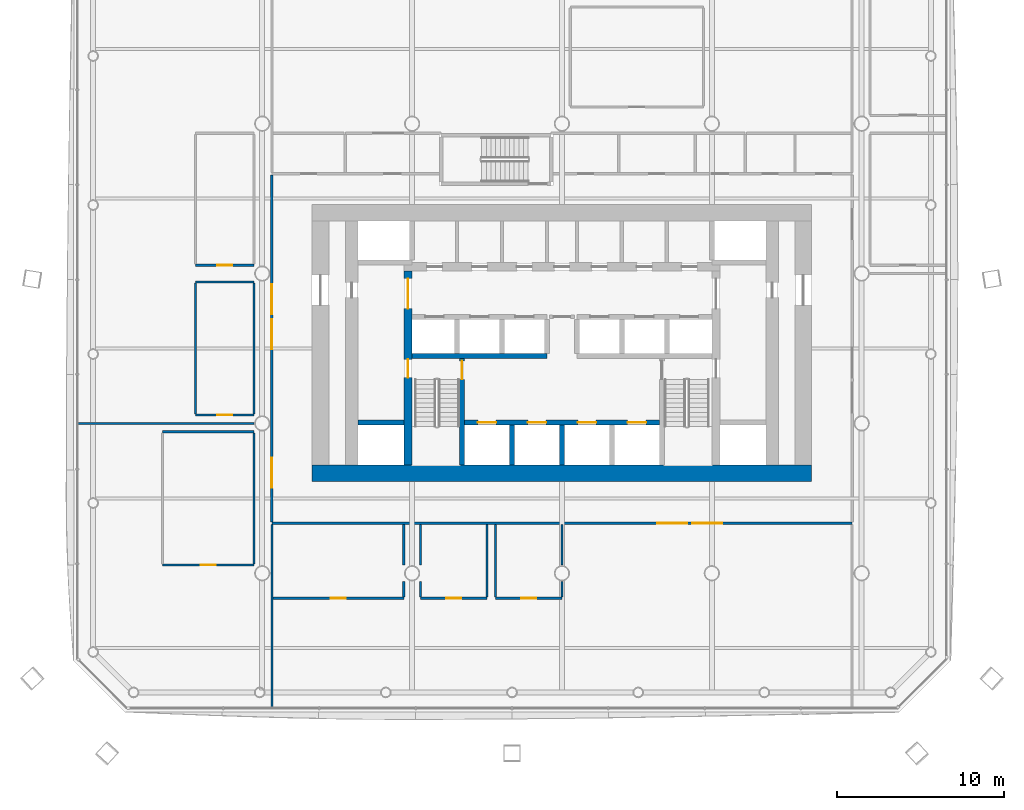
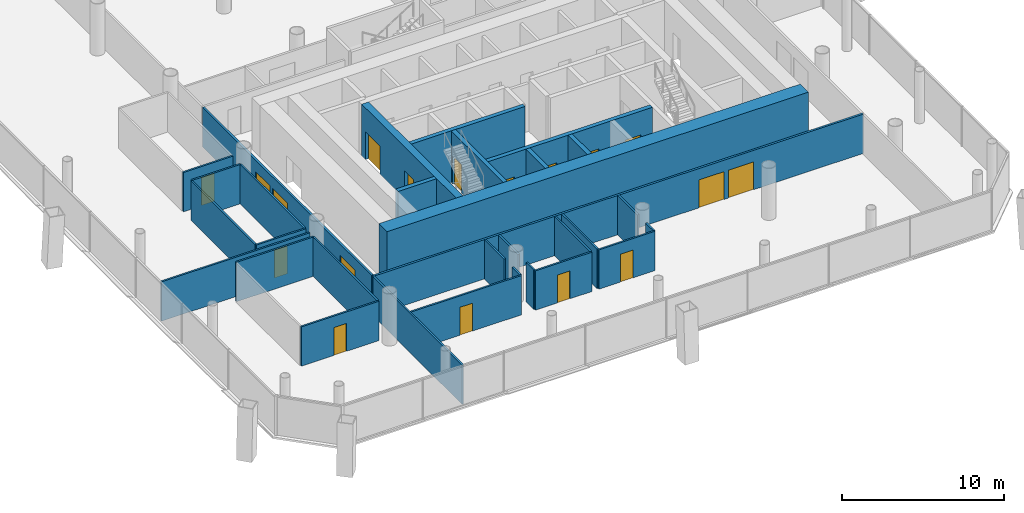
# One storey, part 12 of 20: 31 walls, 18 doors, 18 openings.
"""IFC4 building model written with IfcOpenShell, lengths in metres."""

from ifc_helpers import new_model, si_unit, direction, frame, frame_2d, origin, place, context, subcontext, project, spatial, rectangle, extrude, material, layer, layer_set, type_object, element, fill, save


model = new_model("IFC4")

# Units and contexts
model_context = context("Model", 3, precision=1e-05, world=origin(), true_north=direction((0.0, 1.0)))
body_context = subcontext(model_context, "Body", "Model", "MODEL_VIEW")
ifc_project = project(units=[si_unit("LENGTHUNIT", "METRE"), si_unit("AREAUNIT", "SQUARE_METRE"), si_unit("VOLUMEUNIT", "CUBIC_METRE"), si_unit("PLANEANGLEUNIT", "RADIAN"), si_unit("MASSUNIT", "GRAM", prefix="KILO")], contexts=[model_context])

# Site, building, storey
site_placement = place(None, origin())
site = spatial("IfcSite", under=ifc_project, at=site_placement, CompositionType="ELEMENT")
building_placement = place(site_placement, origin())
building = spatial("IfcBuilding", under=site, at=building_placement, Name="Tskaro Facet Tower", CompositionType="ELEMENT")
storey_placement = place(building_placement, frame((0.0, 0.0, 53.699951171875)))
storey = spatial("IfcBuildingStorey", under=building, at=storey_placement, Name="L12", CompositionType="ELEMENT", Elevation=53.699951171875)

# Wall
ifc_material_1 = material(Name="Concrete C60/75", Category="concrete")
ifc_layer_1 = layer(ifc_material_1, 0.300048828125, Name="Concrete C60/75")
ifc_layer_set_1 = layer_set([ifc_layer_1], Name="Concrete C60/75")
wall_type_1 = type_object("IfcWallType", Name="CORE-SHAFT", PredefinedType="SHEAR", material=ifc_layer_set_1)
wall_1_placement = place(storey_placement, frame((-12.25, -8.949951171875, 0.0), z_axis=(0.0, 0.0, 1.0), x_axis=(1.0, 0.0, 0.0)))
element("IfcWall", 1, at=wall_1_placement, inside=storey, type_object=wall_type_1, Name="Shaft wall W008", PredefinedType="SHEAR", context=body_context, shape_type="SweptSolid", body=[
    extrude(rectangle(XDim=2.75, YDim=0.300048828125, at=frame_2d((1.375, 0.0))), origin(), (0.0, 0.0, 1.0), 3.900146484375),
])

# Wall, openings, doors
wall_2_placement = place(storey_placement, frame((-5.85009765625, -8.949951171875, 0.0), z_axis=(0.0, 0.0, 1.0), x_axis=(1.0, 0.0, 0.0)))
wall_2 = element("IfcWall", 2, at=wall_2_placement, inside=storey, type_object=wall_type_1, Name="Shaft wall W009", PredefinedType="SHEAR", context=body_context, shape_type="SweptSolid", body=[
    extrude(rectangle(XDim=11.7001953125, YDim=0.300048828125, at=frame_2d((5.85009765625, 0.0))), origin(), (0.0, 0.0, 1.0), 3.900146484375),
])
opening_1_placement = place(wall_2_placement, frame((0.800048828125, 0.0, 0.0)))
opening_1 = element("IfcOpeningElement", 3, at=opening_1_placement, cuts=wall_2, Name="Opening LD-FF1", PredefinedType="OPENING", context=body_context, shape_type="SweptSolid", body=[
    extrude(rectangle(XDim=1.10009765625, YDim=2.10009765625, at=frame_2d((0.550048828125, 1.050048828125))), frame((0.0, 0.159912109375, 0.0), z_axis=(0.0, -1.0, 0.0), x_axis=(1.0, 0.0, 0.0)), (0.0, 0.0, 1.0), 0.320068359375),
])
opening_2_placement = place(wall_2_placement, frame((3.800048828125, 0.0, 0.0)))
opening_2 = element("IfcOpeningElement", 4, at=opening_2_placement, cuts=wall_2, Name="Opening LD-FF2", PredefinedType="OPENING", context=body_context, shape_type="SweptSolid", body=[
    extrude(rectangle(XDim=1.10009765625, YDim=2.10009765625, at=frame_2d((0.550048828125, 1.050048828125))), frame((0.0, 0.159912109375, 0.0), z_axis=(0.0, -1.0, 0.0), x_axis=(1.0, 0.0, 0.0)), (0.0, 0.0, 1.0), 0.320068359375),
])
opening_3_placement = place(wall_2_placement, frame((6.800048828125, 0.0, 0.0)))
opening_3 = element("IfcOpeningElement", 5, at=opening_3_placement, cuts=wall_2, Name="Opening LD-SV1", PredefinedType="OPENING", context=body_context, shape_type="SweptSolid", body=[
    extrude(rectangle(XDim=1.10009765625, YDim=2.10009765625, at=frame_2d((0.550048828125, 1.050048828125))), frame((0.0, 0.159912109375, 0.0), z_axis=(0.0, -1.0, 0.0), x_axis=(1.0, 0.0, 0.0)), (0.0, 0.0, 1.0), 0.320068359375),
])
opening_4_placement = place(wall_2_placement, frame((9.800048828125, 0.0, 0.0)))
opening_4 = element("IfcOpeningElement", 6, at=opening_4_placement, cuts=wall_2, Name="Opening LD-SV2", PredefinedType="OPENING", context=body_context, shape_type="SweptSolid", body=[
    extrude(rectangle(XDim=1.10009765625, YDim=2.10009765625, at=frame_2d((0.550048828125, 1.050048828125))), frame((0.0, 0.159912109375, 0.0), z_axis=(0.0, -1.0, 0.0), x_axis=(1.0, 0.0, 0.0)), (0.0, 0.0, 1.0), 0.320068359375),
])
ifc_material_2 = material(Name="Stainless steel", Category="steel")
door_type_1 = type_object("IfcDoorType", Name="D-LANDING", OperationType="NOTDEFINED", PredefinedType="DOOR", material=ifc_material_2)
door_1_placement = place(opening_1_placement, origin())
door_1 = element("IfcDoor", 7, at=door_1_placement, inside=storey, type_object=door_type_1, Name="Landing door FF1", OperationType="DOUBLE_DOOR_SLIDING", OverallHeight=2.10009765625, OverallWidth=1.10009765625, PredefinedType="DOOR", context=body_context, shape_type="SweptSolid", body=[
    extrude(rectangle(XDim=1.10009765625, YDim=2.10009765625, at=frame_2d((0.550048828125, 1.050048828125))), frame((0.0, 0.02490234375, 0.0), z_axis=(0.0, -1.0, 0.0), x_axis=(1.0, 0.0, 0.0)), (0.0, 0.0, 1.0), 0.050048828125),
])
fill(opening_1, door_1)
door_2_placement = place(opening_2_placement, origin())
door_2 = element("IfcDoor", 8, at=door_2_placement, inside=storey, type_object=door_type_1, Name="Landing door FF2", OperationType="DOUBLE_DOOR_SLIDING", OverallHeight=2.10009765625, OverallWidth=1.10009765625, PredefinedType="DOOR", context=body_context, shape_type="SweptSolid", body=[
    extrude(rectangle(XDim=1.10009765625, YDim=2.10009765625, at=frame_2d((0.550048828125, 1.050048828125))), frame((0.0, 0.02490234375, 0.0), z_axis=(0.0, -1.0, 0.0), x_axis=(1.0, 0.0, 0.0)), (0.0, 0.0, 1.0), 0.050048828125),
])
fill(opening_2, door_2)
door_3_placement = place(opening_3_placement, origin())
door_3 = element("IfcDoor", 9, at=door_3_placement, inside=storey, type_object=door_type_1, Name="Landing door SV1", OperationType="DOUBLE_DOOR_SLIDING", OverallHeight=2.10009765625, OverallWidth=1.10009765625, PredefinedType="DOOR", context=body_context, shape_type="SweptSolid", body=[
    extrude(rectangle(XDim=1.10009765625, YDim=2.10009765625, at=frame_2d((0.550048828125, 1.050048828125))), frame((0.0, 0.02490234375, 0.0), z_axis=(0.0, -1.0, 0.0), x_axis=(1.0, 0.0, 0.0)), (0.0, 0.0, 1.0), 0.050048828125),
])
fill(opening_3, door_3)
door_4_placement = place(opening_4_placement, origin())
door_4 = element("IfcDoor", 10, at=door_4_placement, inside=storey, type_object=door_type_1, Name="Landing door SV2", OperationType="DOUBLE_DOOR_SLIDING", OverallHeight=2.10009765625, OverallWidth=1.10009765625, PredefinedType="DOOR", context=body_context, shape_type="SweptSolid", body=[
    extrude(rectangle(XDim=1.10009765625, YDim=2.10009765625, at=frame_2d((0.550048828125, 1.050048828125))), frame((0.0, 0.02490234375, 0.0), z_axis=(0.0, -1.0, 0.0), x_axis=(1.0, 0.0, 0.0)), (0.0, 0.0, 1.0), 0.050048828125),
])
fill(opening_4, door_4)

# Wall
wall_3_placement = place(storey_placement, frame((-9.0, -4.949951171875, 0.0), z_axis=(0.0, 0.0, 1.0), x_axis=(1.0, 0.0, 0.0)))
element("IfcWall", 11, at=wall_3_placement, inside=storey, type_object=wall_type_1, Name="Shaft wall W012", PredefinedType="SHEAR", context=body_context, shape_type="SweptSolid", body=[
    extrude(rectangle(XDim=8.10009765625, YDim=0.300048828125, at=frame_2d((4.050048828125, 0.0))), origin(), (0.0, 0.0, 1.0), 3.900146484375),
])

# Wall, opening, door
wall_4_placement = place(storey_placement, frame((-6.0, -11.5, 0.0), z_axis=(0.0, 0.0, 1.0), x_axis=(0.0, 1.0, 0.0)))
wall_4 = element("IfcWall", 12, at=wall_4_placement, inside=storey, type_object=wall_type_1, Name="Shaft wall W055", PredefinedType="SHEAR", context=body_context, shape_type="SweptSolid", body=[
    extrude(rectangle(XDim=6.39990234375, YDim=0.300048828125, at=frame_2d((3.199951171875, 0.0))), origin(), (0.0, 0.0, 1.0), 3.900146484375),
])
opening_5_placement = place(wall_4_placement, frame((5.14990234375, 0.0, 0.0)))
opening_5 = element("IfcOpeningElement", 13, at=opening_5_placement, cuts=wall_4, Name="Opening ST-1-D1", PredefinedType="OPENING", context=body_context, shape_type="SweptSolid", body=[
    extrude(rectangle(XDim=1.10009765625, YDim=2.10009765625, at=frame_2d((0.550048828125, 1.050048828125))), frame((0.0, 0.159912109375, 0.0), z_axis=(0.0, -1.0, 0.0), x_axis=(1.0, 0.0, 0.0)), (0.0, 0.0, 1.0), 0.320068359375),
])
ifc_material_3 = material(Name="Steel", Category="steel")
door_type_2 = type_object("IfcDoorType", Name="D-STAIR", OperationType="NOTDEFINED", PredefinedType="DOOR", material=ifc_material_3)
door_5_placement = place(opening_5_placement, origin())
door_5 = element("IfcDoor", 14, at=door_5_placement, inside=storey, type_object=door_type_2, Name="Stair door 1", OperationType="SINGLE_SWING_LEFT", OverallHeight=2.10009765625, OverallWidth=1.10009765625, PredefinedType="DOOR", context=body_context, shape_type="SweptSolid", body=[
    extrude(rectangle(XDim=1.10009765625, YDim=2.10009765625, at=frame_2d((0.550048828125, 1.050048828125))), frame((0.0, 0.02490234375, 0.0), z_axis=(0.0, -1.0, 0.0), x_axis=(1.0, 0.0, 0.0)), (0.0, 0.0, 1.0), 0.050048828125),
])
fill(opening_5, door_5)

# Walls
for number, where, z_axis, x_axis, name in (
    (15, (-3.0, -11.5, 0.0), (0.0, 0.0, 1.0), (0.0, 1.0, 0.0), "Shaft wall W060"),
    (16, (0.0, -11.5, 0.0), (0.0, 0.0, 1.0), (0.0, 1.0, 0.0), "Shaft wall W066"),
):
    element("IfcWall", number, at=place(storey_placement, frame(where, z_axis=z_axis, x_axis=x_axis)), inside=storey, type_object=wall_type_1, Name=name, PredefinedType="SHEAR", context=body_context, shape_type="SweptSolid", body=[
        extrude(rectangle(XDim=2.39990234375, YDim=0.300048828125, at=frame_2d((1.199951171875, 0.0))), origin(), (0.0, 0.0, 1.0), 3.900146484375),
    ])
ifc_layer_2 = layer(ifc_material_1, 1.0, Name="Concrete C60/75")
ifc_layer_set_2 = layer_set([ifc_layer_2], Name="Concrete C60/75")
wall_type_2 = type_object("IfcWallType", Name="Core wall 1000", PredefinedType="SHEAR", material=ifc_layer_set_2)
wall_5_placement = place(storey_placement, frame((-15.0, -12.0, 0.0), z_axis=(0.0, 0.0, 1.0), x_axis=(1.0, 0.0, 0.0)))
element("IfcWall", 17, at=wall_5_placement, inside=storey, type_object=wall_type_2, Name="Core wall CW-Z1S", PredefinedType="SHEAR", context=body_context, shape_type="SweptSolid", body=[
    extrude(rectangle(XDim=30.0, YDim=1.0, at=frame_2d((15.0, 0.0))), origin(), (0.0, 0.0, 1.0), 3.900146484375),
])

# Wall, openings, doors
ifc_material_4 = material(Name="Concrete C40/50", Category="concrete")
ifc_layer_3 = layer(ifc_material_4, 0.5, Name="Concrete C40/50")
ifc_layer_set_3 = layer_set([ifc_layer_3], Name="Concrete C40/50")
wall_type_3 = type_object("IfcWallType", Name="Core wall 500", PredefinedType="SHEAR", material=ifc_layer_set_3)
wall_6_placement = place(storey_placement, frame((-9.25, -11.5, 0.0), z_axis=(0.0, 0.0, 1.0), x_axis=(0.0, 1.0, 0.0)))
wall_6 = element("IfcWall", 18, at=wall_6_placement, inside=storey, type_object=wall_type_3, Name="Core wall CW-Z3W", PredefinedType="SHEAR", context=body_context, shape_type="SweptSolid", body=[
    extrude(rectangle(XDim=11.64990234375, YDim=0.5, at=frame_2d((5.824951171875, 0.0))), origin(), (0.0, 0.0, 1.0), 3.900146484375),
])
opening_6_placement = place(wall_6_placement, frame((9.39990234375, 0.0, 0.0)))
opening_6 = element("IfcOpeningElement", 19, at=opening_6_placement, cuts=wall_6, Name="Opening T3-D15", PredefinedType="OPENING", context=body_context, shape_type="SweptSolid", body=[
    extrude(rectangle(XDim=1.800048828125, YDim=2.10009765625, at=frame_2d((0.89990234375, 1.050048828125))), frame((0.0, 0.260009765625, 0.0), z_axis=(0.0, -1.0, 0.0), x_axis=(1.0, 0.0, 0.0)), (0.0, 0.0, 1.0), 0.52001953125),
])
opening_7_placement = place(wall_6_placement, frame((5.25, 0.0, 0.0)))
opening_7 = element("IfcOpeningElement", 20, at=opening_7_placement, cuts=wall_6, Name="Opening ST-1-D2", PredefinedType="OPENING", context=body_context, shape_type="SweptSolid", body=[
    extrude(rectangle(XDim=1.10009765625, YDim=2.10009765625, at=frame_2d((0.550048828125, 1.050048828125))), frame((0.0, 0.260009765625, 0.0), z_axis=(0.0, -1.0, 0.0), x_axis=(1.0, 0.0, 0.0)), (0.0, 0.0, 1.0), 0.52001953125),
])
door_type_3 = type_object("IfcDoorType", Name="D-CORE-PAIR", OperationType="NOTDEFINED", PredefinedType="DOOR", material=ifc_material_3)
door_6_placement = place(opening_6_placement, origin())
door_6 = element("IfcDoor", 21, at=door_6_placement, inside=storey, type_object=door_type_3, Name="Door T3-D15", OperationType="DOUBLE_DOOR_SINGLE_SWING", OverallHeight=2.10009765625, OverallWidth=1.800048828125, PredefinedType="DOOR", context=body_context, shape_type="SweptSolid", body=[
    extrude(rectangle(XDim=1.800048828125, YDim=2.10009765625, at=frame_2d((0.89990234375, 1.050048828125))), frame((0.0, 0.02490234375, 0.0), z_axis=(0.0, -1.0, 0.0), x_axis=(1.0, 0.0, 0.0)), (0.0, 0.0, 1.0), 0.050048828125),
])
fill(opening_6, door_6)
door_7_placement = place(opening_7_placement, origin())
door_7 = element("IfcDoor", 22, at=door_7_placement, inside=storey, type_object=door_type_2, Name="Stair door 1 west", OperationType="SINGLE_SWING_LEFT", OverallHeight=2.10009765625, OverallWidth=1.10009765625, PredefinedType="DOOR", context=body_context, shape_type="SweptSolid", body=[
    extrude(rectangle(XDim=1.10009765625, YDim=2.10009765625, at=frame_2d((0.550048828125, 1.050048828125))), frame((0.0, 0.02490234375, 0.0), z_axis=(0.0, -1.0, 0.0), x_axis=(1.0, 0.0, 0.0)), (0.0, 0.0, 1.0), 0.050048828125),
])
fill(opening_7, door_7)

# Wall, opening, door
ifc_material_5 = material(Name="Gypsum board on steel studs", Category="steel")
ifc_layer_4 = layer(ifc_material_5, 0.125, Name="Gypsum board on steel studs")
ifc_layer_set_4 = layer_set([ifc_layer_4], Name="Gypsum board on steel studs")
wall_type_4 = type_object("IfcWallType", Name="PART", PredefinedType="PARTITIONING", material=ifc_layer_set_4)
wall_7_placement = place(storey_placement, frame((-17.362548828125, -19.5, 0.0), z_axis=(0.0, 0.0, 1.0), x_axis=(1.0, 0.0, 0.0)))
wall_7 = element("IfcWall", 23, at=wall_7_placement, inside=storey, type_object=wall_type_4, Name="Partition W001", PredefinedType="PARTITIONING", context=body_context, shape_type="SweptSolid", body=[
    extrude(rectangle(XDim=7.862548828125, YDim=0.125, at=frame_2d((3.93115234375, 0.0))), origin(), (0.0, 0.0, 1.0), 2.9599609375),
])
opening_8_placement = place(wall_7_placement, frame((3.481201171875, 0.0, 0.0)))
opening_8 = element("IfcOpeningElement", 24, at=opening_8_placement, cuts=wall_7, Name="Opening T3-D01", PredefinedType="OPENING", context=body_context, shape_type="SweptSolid", body=[
    extrude(rectangle(XDim=0.89990234375, YDim=2.10009765625, at=frame_2d((0.449951171875, 1.050048828125))), frame((0.0, 0.072509765625, 0.0), z_axis=(0.0, -1.0, 0.0), x_axis=(1.0, 0.0, 0.0)), (0.0, 0.0, 1.0), 0.14501953125),
])
ifc_material_6 = material(Name="Timber", Category="wood")
door_type_4 = type_object("IfcDoorType", Name="D-ROOM", OperationType="NOTDEFINED", PredefinedType="DOOR", material=ifc_material_6)
door_8_placement = place(opening_8_placement, origin())
door_8 = element("IfcDoor", 25, at=door_8_placement, inside=storey, type_object=door_type_4, Name="Door T3-D01", OperationType="SINGLE_SWING_LEFT", OverallHeight=2.10009765625, OverallWidth=0.89990234375, PredefinedType="DOOR", context=body_context, shape_type="SweptSolid", body=[
    extrude(rectangle(XDim=0.89990234375, YDim=2.10009765625, at=frame_2d((0.449951171875, 1.050048828125))), frame((0.0, 0.02490234375, 0.0), z_axis=(0.0, -1.0, 0.0), x_axis=(1.0, 0.0, 0.0)), (0.0, 0.0, 1.0), 0.050048828125),
])
fill(opening_8, door_8)

wall_8_placement = place(storey_placement, frame((-8.5, -19.5, 0.0), z_axis=(0.0, 0.0, 1.0), x_axis=(1.0, 0.0, 0.0)))
wall_8 = element("IfcWall", 26, at=wall_8_placement, inside=storey, type_object=wall_type_4, Name="Partition W002", PredefinedType="PARTITIONING", context=body_context, shape_type="SweptSolid", body=[
    extrude(rectangle(XDim=4.0, YDim=0.125, at=frame_2d((2.0, 0.0))), origin(), (0.0, 0.0, 1.0), 2.9599609375),
])
opening_9_placement = place(wall_8_placement, frame((1.550048828125, 0.0, 0.0)))
opening_9 = element("IfcOpeningElement", 27, at=opening_9_placement, cuts=wall_8, Name="Opening T3-D02", PredefinedType="OPENING", context=body_context, shape_type="SweptSolid", body=[
    extrude(rectangle(XDim=0.89990234375, YDim=2.10009765625, at=frame_2d((0.449951171875, 1.050048828125))), frame((0.0, 0.072509765625, 0.0), z_axis=(0.0, -1.0, 0.0), x_axis=(1.0, 0.0, 0.0)), (0.0, 0.0, 1.0), 0.14501953125),
])
door_9_placement = place(opening_9_placement, origin())
door_9 = element("IfcDoor", 28, at=door_9_placement, inside=storey, type_object=door_type_4, Name="Door T3-D02", OperationType="SINGLE_SWING_LEFT", OverallHeight=2.10009765625, OverallWidth=0.89990234375, PredefinedType="DOOR", context=body_context, shape_type="SweptSolid", body=[
    extrude(rectangle(XDim=0.89990234375, YDim=2.10009765625, at=frame_2d((0.449951171875, 1.050048828125))), frame((0.0, 0.02490234375, 0.0), z_axis=(0.0, -1.0, 0.0), x_axis=(1.0, 0.0, 0.0)), (0.0, 0.0, 1.0), 0.050048828125),
])
fill(opening_9, door_9)

wall_9_placement = place(storey_placement, frame((-4.0, -19.5, 0.0), z_axis=(0.0, 0.0, 1.0), x_axis=(1.0, 0.0, 0.0)))
wall_9 = element("IfcWall", 29, at=wall_9_placement, inside=storey, type_object=wall_type_4, Name="Partition W003", PredefinedType="PARTITIONING", context=body_context, shape_type="SweptSolid", body=[
    extrude(rectangle(XDim=4.0, YDim=0.125, at=frame_2d((2.0, 0.0))), origin(), (0.0, 0.0, 1.0), 2.9599609375),
])
opening_10_placement = place(wall_9_placement, frame((1.550048828125, 0.0, 0.0)))
opening_10 = element("IfcOpeningElement", 30, at=opening_10_placement, cuts=wall_9, Name="Opening T3-D03", PredefinedType="OPENING", context=body_context, shape_type="SweptSolid", body=[
    extrude(rectangle(XDim=0.89990234375, YDim=2.10009765625, at=frame_2d((0.449951171875, 1.050048828125))), frame((0.0, 0.072509765625, 0.0), z_axis=(0.0, -1.0, 0.0), x_axis=(1.0, 0.0, 0.0)), (0.0, 0.0, 1.0), 0.14501953125),
])
door_10_placement = place(opening_10_placement, origin())
door_10 = element("IfcDoor", 31, at=door_10_placement, inside=storey, type_object=door_type_4, Name="Door T3-D03", OperationType="SINGLE_SWING_LEFT", OverallHeight=2.10009765625, OverallWidth=0.89990234375, PredefinedType="DOOR", context=body_context, shape_type="SweptSolid", body=[
    extrude(rectangle(XDim=0.89990234375, YDim=2.10009765625, at=frame_2d((0.449951171875, 1.050048828125))), frame((0.0, 0.02490234375, 0.0), z_axis=(0.0, -1.0, 0.0), x_axis=(1.0, 0.0, 0.0)), (0.0, 0.0, 1.0), 0.050048828125),
])
fill(opening_10, door_10)

wall_10_placement = place(storey_placement, frame((-24.0, -17.5, 0.0), z_axis=(0.0, 0.0, 1.0), x_axis=(1.0, 0.0, 0.0)))
wall_10 = element("IfcWall", 32, at=wall_10_placement, inside=storey, type_object=wall_type_4, Name="Partition W004", PredefinedType="PARTITIONING", context=body_context, shape_type="SweptSolid", body=[
    extrude(rectangle(XDim=5.5, YDim=0.125, at=frame_2d((2.75, 0.0))), origin(), (0.0, 0.0, 1.0), 2.9599609375),
])
opening_11_placement = place(wall_10_placement, frame((2.300048828125, 0.0, 0.0)))
opening_11 = element("IfcOpeningElement", 33, at=opening_11_placement, cuts=wall_10, Name="Opening T3-D04", PredefinedType="OPENING", context=body_context, shape_type="SweptSolid", body=[
    extrude(rectangle(XDim=0.89990234375, YDim=2.10009765625, at=frame_2d((0.449951171875, 1.050048828125))), frame((0.0, 0.072509765625, 0.0), z_axis=(0.0, -1.0, 0.0), x_axis=(1.0, 0.0, 0.0)), (0.0, 0.0, 1.0), 0.14501953125),
])
door_11_placement = place(opening_11_placement, origin())
door_11 = element("IfcDoor", 34, at=door_11_placement, inside=storey, type_object=door_type_4, Name="Door T3-D04", OperationType="SINGLE_SWING_LEFT", OverallHeight=2.10009765625, OverallWidth=0.89990234375, PredefinedType="DOOR", context=body_context, shape_type="SweptSolid", body=[
    extrude(rectangle(XDim=0.89990234375, YDim=2.10009765625, at=frame_2d((0.449951171875, 1.050048828125))), frame((0.0, 0.02490234375, 0.0), z_axis=(0.0, -1.0, 0.0), x_axis=(1.0, 0.0, 0.0)), (0.0, 0.0, 1.0), 0.050048828125),
])
fill(opening_11, door_11)

# Walls
wall_11_placement = place(storey_placement, frame((-24.0, -9.5, 0.0), z_axis=(0.0, 0.0, 1.0), x_axis=(1.0, 0.0, 0.0)))
element("IfcWall", 35, at=wall_11_placement, inside=storey, type_object=wall_type_4, Name="Partition W006", PredefinedType="PARTITIONING", context=body_context, shape_type="SweptSolid", body=[
    extrude(rectangle(XDim=5.5, YDim=0.125, at=frame_2d((2.75, 0.0))), origin(), (0.0, 0.0, 1.0), 2.9599609375),
])
wall_12_placement = place(storey_placement, frame((-29.056884765625, -9.0, 0.0), z_axis=(0.0, 0.0, 1.0), x_axis=(1.0, 0.0, 0.0)))
element("IfcWall", 36, at=wall_12_placement, inside=storey, type_object=wall_type_4, Name="Partition W007", PredefinedType="PARTITIONING", context=body_context, shape_type="SweptSolid", body=[
    extrude(rectangle(XDim=10.556884765625, YDim=0.125, at=frame_2d((5.2783203125, 0.0))), origin(), (0.0, 0.0, 1.0), 2.9599609375),
])

# Wall, opening, door
wall_13_placement = place(storey_placement, frame((-22.0, -8.5, 0.0), z_axis=(0.0, 0.0, 1.0), x_axis=(1.0, 0.0, 0.0)))
wall_13 = element("IfcWall", 37, at=wall_13_placement, inside=storey, type_object=wall_type_4, Name="Partition W011", PredefinedType="PARTITIONING", context=body_context, shape_type="SweptSolid", body=[
    extrude(rectangle(XDim=3.5, YDim=0.125, at=frame_2d((1.75, 0.0))), origin(), (0.0, 0.0, 1.0), 2.9599609375),
])
opening_12_placement = place(wall_13_placement, frame((1.300048828125, 0.0, 0.0)))
opening_12 = element("IfcOpeningElement", 38, at=opening_12_placement, cuts=wall_13, Name="Opening T3-D10", PredefinedType="OPENING", context=body_context, shape_type="SweptSolid", body=[
    extrude(rectangle(XDim=0.89990234375, YDim=2.10009765625, at=frame_2d((0.449951171875, 1.050048828125))), frame((0.0, 0.072509765625, 0.0), z_axis=(0.0, -1.0, 0.0), x_axis=(1.0, 0.0, 0.0)), (0.0, 0.0, 1.0), 0.14501953125),
])
door_12_placement = place(opening_12_placement, origin())
door_12 = element("IfcDoor", 39, at=door_12_placement, inside=storey, type_object=door_type_4, Name="Door T3-D10", OperationType="SINGLE_SWING_LEFT", OverallHeight=2.10009765625, OverallWidth=0.89990234375, PredefinedType="DOOR", context=body_context, shape_type="SweptSolid", body=[
    extrude(rectangle(XDim=0.89990234375, YDim=2.10009765625, at=frame_2d((0.449951171875, 1.050048828125))), frame((0.0, 0.02490234375, 0.0), z_axis=(0.0, -1.0, 0.0), x_axis=(1.0, 0.0, 0.0)), (0.0, 0.0, 1.0), 0.050048828125),
])
fill(opening_12, door_12)

# Wall
wall_14_placement = place(storey_placement, frame((-22.0, -0.5, 0.0), z_axis=(0.0, 0.0, 1.0), x_axis=(1.0, 0.0, 0.0)))
element("IfcWall", 40, at=wall_14_placement, inside=storey, type_object=wall_type_4, Name="Partition W017", PredefinedType="PARTITIONING", context=body_context, shape_type="SweptSolid", body=[
    extrude(rectangle(XDim=3.5, YDim=0.125, at=frame_2d((1.75, 0.0))), origin(), (0.0, 0.0, 1.0), 2.9599609375),
])

# Wall, opening, door
wall_15_placement = place(storey_placement, frame((-22.0, 0.5, 0.0), z_axis=(0.0, 0.0, 1.0), x_axis=(1.0, 0.0, 0.0)))
wall_15 = element("IfcWall", 41, at=wall_15_placement, inside=storey, type_object=wall_type_4, Name="Partition W019", PredefinedType="PARTITIONING", context=body_context, shape_type="SweptSolid", body=[
    extrude(rectangle(XDim=3.5, YDim=0.125, at=frame_2d((1.75, 0.0))), origin(), (0.0, 0.0, 1.0), 2.9599609375),
])
opening_13_placement = place(wall_15_placement, frame((1.300048828125, 0.0, 0.0)))
opening_13 = element("IfcOpeningElement", 42, at=opening_13_placement, cuts=wall_15, Name="Opening T3-D28", PredefinedType="OPENING", context=body_context, shape_type="SweptSolid", body=[
    extrude(rectangle(XDim=0.89990234375, YDim=2.10009765625, at=frame_2d((0.449951171875, 1.050048828125))), frame((0.0, 0.072509765625, 0.0), z_axis=(0.0, -1.0, 0.0), x_axis=(1.0, 0.0, 0.0)), (0.0, 0.0, 1.0), 0.14501953125),
])
door_13_placement = place(opening_13_placement, origin())
door_13 = element("IfcDoor", 43, at=door_13_placement, inside=storey, type_object=door_type_4, Name="Door T3-D28", OperationType="SINGLE_SWING_LEFT", OverallHeight=2.10009765625, OverallWidth=0.89990234375, PredefinedType="DOOR", context=body_context, shape_type="SweptSolid", body=[
    extrude(rectangle(XDim=0.89990234375, YDim=2.10009765625, at=frame_2d((0.449951171875, 1.050048828125))), frame((0.0, 0.02490234375, 0.0), z_axis=(0.0, -1.0, 0.0), x_axis=(1.0, 0.0, 0.0)), (0.0, 0.0, 1.0), 0.050048828125),
])
fill(opening_13, door_13)

# Walls
for number, where, z_axis, x_axis, name in (
    (44, (-22.0, -8.4375, 0.0), (0.0, 0.0, 1.0), (0.0, 1.0, 0.0), "Partition W038"),
    (45, (-18.5, -17.4375, 0.0), (0.0, 0.0, 1.0), (0.0, 1.0, 0.0), "Partition W040"),
    (46, (-18.5, -8.4375, 0.0), (0.0, 0.0, 1.0), (0.0, 1.0, 0.0), "Partition W041"),
):
    element("IfcWall", number, at=place(storey_placement, frame(where, z_axis=z_axis, x_axis=x_axis)), inside=storey, type_object=wall_type_4, Name=name, PredefinedType="PARTITIONING", context=body_context, shape_type="SweptSolid", body=[
        extrude(rectangle(XDim=7.875, YDim=0.125, at=frame_2d((3.9375, 0.0))), origin(), (0.0, 0.0, 1.0), 2.9599609375),
    ])
wall_16_placement = place(storey_placement, frame((-17.425048828125, -26.056884765625, 0.0), z_axis=(0.0, 0.0, 1.0), x_axis=(0.0, 1.0, 0.0)))
element("IfcWall", 47, at=wall_16_placement, inside=storey, type_object=wall_type_4, Name="Partition W043", PredefinedType="PARTITIONING", context=body_context, shape_type="SweptSolid", body=[
    extrude(rectangle(XDim=10.98193359375, YDim=0.125, at=frame_2d((5.490966796875, 0.0))), origin(), (0.0, 0.0, 1.0), 2.9599609375),
])
wall_17_placement = place(storey_placement, frame((-9.5, -19.4375, 0.0), z_axis=(0.0, 0.0, 1.0), x_axis=(0.0, 1.0, 0.0)))
element("IfcWall", 48, at=wall_17_placement, inside=storey, type_object=wall_type_4, Name="Partition W047", PredefinedType="PARTITIONING", context=body_context, shape_type="SweptSolid", body=[
    extrude(rectangle(XDim=0.9375, YDim=0.125, at=frame_2d((0.46875, 0.0))), origin(), (0.0, 0.0, 1.0), 2.9599609375),
])
wall_18_placement = place(storey_placement, frame((-9.5, -17.5, 0.0), z_axis=(0.0, 0.0, 1.0), x_axis=(0.0, 1.0, 0.0)))
element("IfcWall", 49, at=wall_18_placement, inside=storey, type_object=wall_type_4, Name="Partition W048", PredefinedType="PARTITIONING", context=body_context, shape_type="SweptSolid", body=[
    extrude(rectangle(XDim=2.425048828125, YDim=0.125, at=frame_2d((1.21240234375, 0.0))), origin(), (0.0, 0.0, 1.0), 2.9599609375),
])
wall_19_placement = place(storey_placement, frame((-8.5, -19.4375, 0.0), z_axis=(0.0, 0.0, 1.0), x_axis=(0.0, 1.0, 0.0)))
element("IfcWall", 50, at=wall_19_placement, inside=storey, type_object=wall_type_4, Name="Partition W050", PredefinedType="PARTITIONING", context=body_context, shape_type="SweptSolid", body=[
    extrude(rectangle(XDim=0.9375, YDim=0.125, at=frame_2d((0.46875, 0.0))), origin(), (0.0, 0.0, 1.0), 2.9599609375),
])
wall_20_placement = place(storey_placement, frame((-8.5, -17.5, 0.0), z_axis=(0.0, 0.0, 1.0), x_axis=(0.0, 1.0, 0.0)))
element("IfcWall", 51, at=wall_20_placement, inside=storey, type_object=wall_type_4, Name="Partition W051", PredefinedType="PARTITIONING", context=body_context, shape_type="SweptSolid", body=[
    extrude(rectangle(XDim=2.425048828125, YDim=0.125, at=frame_2d((1.21240234375, 0.0))), origin(), (0.0, 0.0, 1.0), 2.9599609375),
])
for number, where, z_axis, x_axis, name in (
    (52, (-4.5, -19.4375, 0.0), (0.0, 0.0, 1.0), (0.0, 1.0, 0.0), "Partition W056"),
    (53, (-4.0, -19.4375, 0.0), (0.0, 0.0, 1.0), (0.0, 1.0, 0.0), "Partition W057"),
):
    element("IfcWall", number, at=place(storey_placement, frame(where, z_axis=z_axis, x_axis=x_axis)), inside=storey, type_object=wall_type_4, Name=name, PredefinedType="PARTITIONING", context=body_context, shape_type="SweptSolid", body=[
        extrude(rectangle(XDim=4.362548828125, YDim=0.125, at=frame_2d((2.18115234375, 0.0))), origin(), (0.0, 0.0, 1.0), 2.9599609375),
    ])
wall_21_placement = place(storey_placement, frame((0.0, -19.4375, 0.0), z_axis=(0.0, 0.0, 1.0), x_axis=(0.0, 1.0, 0.0)))
element("IfcWall", 54, at=wall_21_placement, inside=storey, type_object=wall_type_4, Name="Partition W064", PredefinedType="PARTITIONING", context=body_context, shape_type="SweptSolid", body=[
    extrude(rectangle(XDim=0.9375, YDim=0.125, at=frame_2d((0.46875, 0.0))), origin(), (0.0, 0.0, 1.0), 2.9599609375),
])
wall_22_placement = place(storey_placement, frame((0.0, -17.5, 0.0), z_axis=(0.0, 0.0, 1.0), x_axis=(0.0, 1.0, 0.0)))
element("IfcWall", 55, at=wall_22_placement, inside=storey, type_object=wall_type_4, Name="Partition W065", PredefinedType="PARTITIONING", context=body_context, shape_type="SweptSolid", body=[
    extrude(rectangle(XDim=2.425048828125, YDim=0.125, at=frame_2d((1.21240234375, 0.0))), origin(), (0.0, 0.0, 1.0), 2.9599609375),
])

# Wall, openings, doors
ifc_layer_5 = layer(ifc_material_5, 0.14990234375, Name="Gypsum board on steel studs")
ifc_layer_set_5 = layer_set([ifc_layer_5], Name="Gypsum board on steel studs")
wall_type_5 = type_object("IfcWallType", Name="PART-CORR", PredefinedType="PARTITIONING", material=ifc_layer_set_5)
wall_23_placement = place(storey_placement, frame((-17.425048828125, -15.0, 0.0), z_axis=(0.0, 0.0, 1.0), x_axis=(1.0, 0.0, 0.0)))
wall_23 = element("IfcWall", 56, at=wall_23_placement, inside=storey, type_object=wall_type_5, Name="Corridor wall W005", PredefinedType="PARTITIONING", context=body_context, shape_type="SweptSolid", body=[
    extrude(rectangle(XDim=34.85009765625, YDim=0.14990234375, at=frame_2d((17.425048828125, 0.0))), origin(), (0.0, 0.0, 1.0), 2.9599609375),
])
opening_14_placement = place(wall_23_placement, frame((25.237548828125, 0.0, 0.0)))
opening_14 = element("IfcOpeningElement", 57, at=opening_14_placement, cuts=wall_23, Name="Opening T3-D06", PredefinedType="OPENING", context=body_context, shape_type="SweptSolid", body=[
    extrude(rectangle(XDim=1.800048828125, YDim=2.10009765625, at=frame_2d((0.89990234375, 1.050048828125))), frame((0.0, 0.0849609375, 0.0), z_axis=(0.0, -1.0, 0.0), x_axis=(1.0, 0.0, 0.0)), (0.0, 0.0, 1.0), 0.169921875),
])
opening_15_placement = place(wall_23_placement, frame((23.137451171875, 0.0, 0.0)))
opening_15 = element("IfcOpeningElement", 58, at=opening_15_placement, cuts=wall_23, Name="Opening T3-D05", PredefinedType="OPENING", context=body_context, shape_type="SweptSolid", body=[
    extrude(rectangle(XDim=1.800048828125, YDim=2.10009765625, at=frame_2d((0.89990234375, 1.050048828125))), frame((0.0, 0.0849609375, 0.0), z_axis=(0.0, -1.0, 0.0), x_axis=(1.0, 0.0, 0.0)), (0.0, 0.0, 1.0), 0.169921875),
])
ifc_material_7 = material(Name="Glass", Category="glass")
door_type_5 = type_object("IfcDoorType", Name="D-ENTRY-PAIR", OperationType="NOTDEFINED", PredefinedType="DOOR", material=ifc_material_7)
door_14_placement = place(opening_14_placement, origin())
door_14 = element("IfcDoor", 59, at=door_14_placement, inside=storey, type_object=door_type_5, Name="Door T3-D06", OperationType="DOUBLE_DOOR_SINGLE_SWING", OverallHeight=2.10009765625, OverallWidth=1.800048828125, PredefinedType="DOOR", context=body_context, shape_type="SweptSolid", body=[
    extrude(rectangle(XDim=1.800048828125, YDim=2.10009765625, at=frame_2d((0.89990234375, 1.050048828125))), frame((0.0, 0.02490234375, 0.0), z_axis=(0.0, -1.0, 0.0), x_axis=(1.0, 0.0, 0.0)), (0.0, 0.0, 1.0), 0.050048828125),
])
fill(opening_14, door_14)
door_15_placement = place(opening_15_placement, origin())
door_15 = element("IfcDoor", 60, at=door_15_placement, inside=storey, type_object=door_type_5, Name="Door T3-D05", OperationType="DOUBLE_DOOR_SINGLE_SWING", OverallHeight=2.10009765625, OverallWidth=1.800048828125, PredefinedType="DOOR", context=body_context, shape_type="SweptSolid", body=[
    extrude(rectangle(XDim=1.800048828125, YDim=2.10009765625, at=frame_2d((0.89990234375, 1.050048828125))), frame((0.0, 0.02490234375, 0.0), z_axis=(0.0, -1.0, 0.0), x_axis=(1.0, 0.0, 0.0)), (0.0, 0.0, 1.0), 0.050048828125),
])
fill(opening_15, door_15)

wall_24_placement = place(storey_placement, frame((-17.425048828125, 5.925048828125, 0.0), z_axis=(0.0, 0.0, 1.0), x_axis=(0.0, -1.0, 0.0)))
wall_24 = element("IfcWall", 61, at=wall_24_placement, inside=storey, type_object=wall_type_5, Name="Corridor wall W044", PredefinedType="PARTITIONING", context=body_context, shape_type="SweptSolid", body=[
    extrude(rectangle(XDim=20.85009765625, YDim=0.14990234375, at=frame_2d((10.425048828125, 0.0))), origin(), (0.0, 0.0, 1.0), 2.9599609375),
])
opening_16_placement = place(wall_24_placement, frame((16.987548828125, 0.0, 0.0)))
opening_16 = element("IfcOpeningElement", 62, at=opening_16_placement, cuts=wall_24, Name="Opening T3-D07", PredefinedType="OPENING", context=body_context, shape_type="SweptSolid", body=[
    extrude(rectangle(XDim=1.800048828125, YDim=2.10009765625, at=frame_2d((0.89990234375, 1.050048828125))), frame((0.0, 0.0849609375, 0.0), z_axis=(0.0, -1.0, 0.0), x_axis=(1.0, 0.0, 0.0)), (0.0, 0.0, 1.0), 0.169921875),
])
opening_17_placement = place(wall_24_placement, frame((6.5625, 0.0, 0.0)))
opening_17 = element("IfcOpeningElement", 63, at=opening_17_placement, cuts=wall_24, Name="Opening T3-D14", PredefinedType="OPENING", context=body_context, shape_type="SweptSolid", body=[
    extrude(rectangle(XDim=1.800048828125, YDim=2.10009765625, at=frame_2d((0.89990234375, 1.050048828125))), frame((0.0, 0.0849609375, 0.0), z_axis=(0.0, -1.0, 0.0), x_axis=(1.0, 0.0, 0.0)), (0.0, 0.0, 1.0), 0.169921875),
])
opening_18_placement = place(wall_24_placement, frame((8.66259765625, 0.0, 0.0)))
opening_18 = element("IfcOpeningElement", 64, at=opening_18_placement, cuts=wall_24, Name="Opening T3-D13", PredefinedType="OPENING", context=body_context, shape_type="SweptSolid", body=[
    extrude(rectangle(XDim=1.800048828125, YDim=2.10009765625, at=frame_2d((0.89990234375, 1.050048828125))), frame((0.0, 0.0849609375, 0.0), z_axis=(0.0, -1.0, 0.0), x_axis=(1.0, 0.0, 0.0)), (0.0, 0.0, 1.0), 0.169921875),
])
door_16_placement = place(opening_16_placement, origin())
door_16 = element("IfcDoor", 65, at=door_16_placement, inside=storey, type_object=door_type_5, Name="Door T3-D07", OperationType="DOUBLE_DOOR_SINGLE_SWING", OverallHeight=2.10009765625, OverallWidth=1.800048828125, PredefinedType="DOOR", context=body_context, shape_type="SweptSolid", body=[
    extrude(rectangle(XDim=1.800048828125, YDim=2.10009765625, at=frame_2d((0.89990234375, 1.050048828125))), frame((0.0, 0.02490234375, 0.0), z_axis=(0.0, -1.0, 0.0), x_axis=(1.0, 0.0, 0.0)), (0.0, 0.0, 1.0), 0.050048828125),
])
fill(opening_16, door_16)
door_17_placement = place(opening_17_placement, origin())
door_17 = element("IfcDoor", 66, at=door_17_placement, inside=storey, type_object=door_type_5, Name="Door T3-D14", OperationType="DOUBLE_DOOR_SINGLE_SWING", OverallHeight=2.10009765625, OverallWidth=1.800048828125, PredefinedType="DOOR", context=body_context, shape_type="SweptSolid", body=[
    extrude(rectangle(XDim=1.800048828125, YDim=2.10009765625, at=frame_2d((0.89990234375, 1.050048828125))), frame((0.0, 0.02490234375, 0.0), z_axis=(0.0, -1.0, 0.0), x_axis=(1.0, 0.0, 0.0)), (0.0, 0.0, 1.0), 0.050048828125),
])
fill(opening_17, door_17)
door_18_placement = place(opening_18_placement, origin())
door_18 = element("IfcDoor", 67, at=door_18_placement, inside=storey, type_object=door_type_5, Name="Door T3-D13", OperationType="DOUBLE_DOOR_SINGLE_SWING", OverallHeight=2.10009765625, OverallWidth=1.800048828125, PredefinedType="DOOR", context=body_context, shape_type="SweptSolid", body=[
    extrude(rectangle(XDim=1.800048828125, YDim=2.10009765625, at=frame_2d((0.89990234375, 1.050048828125))), frame((0.0, 0.02490234375, 0.0), z_axis=(0.0, -1.0, 0.0), x_axis=(1.0, 0.0, 0.0)), (0.0, 0.0, 1.0), 0.050048828125),
])
fill(opening_18, door_18)

save(model, "model.ifc")
